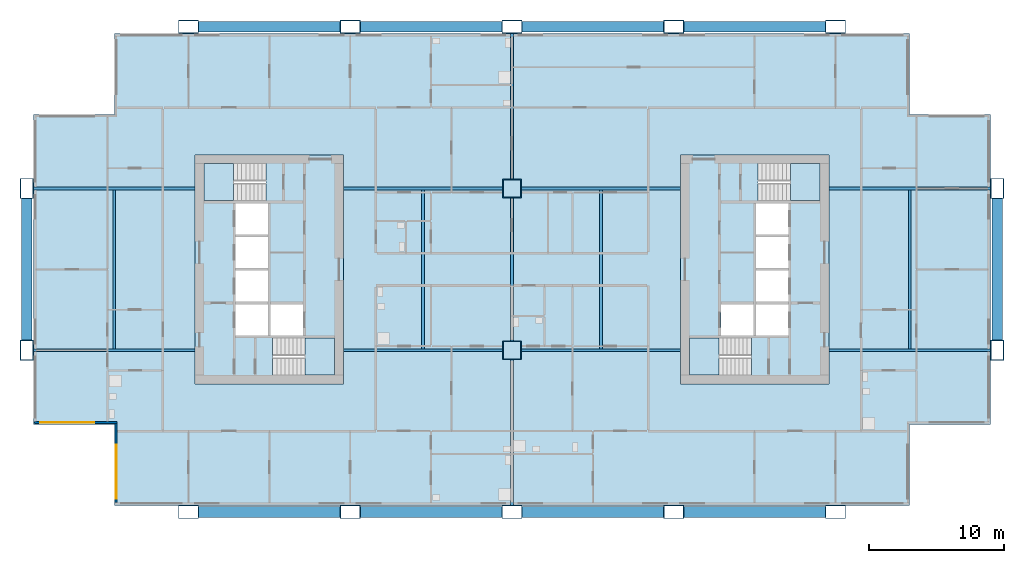
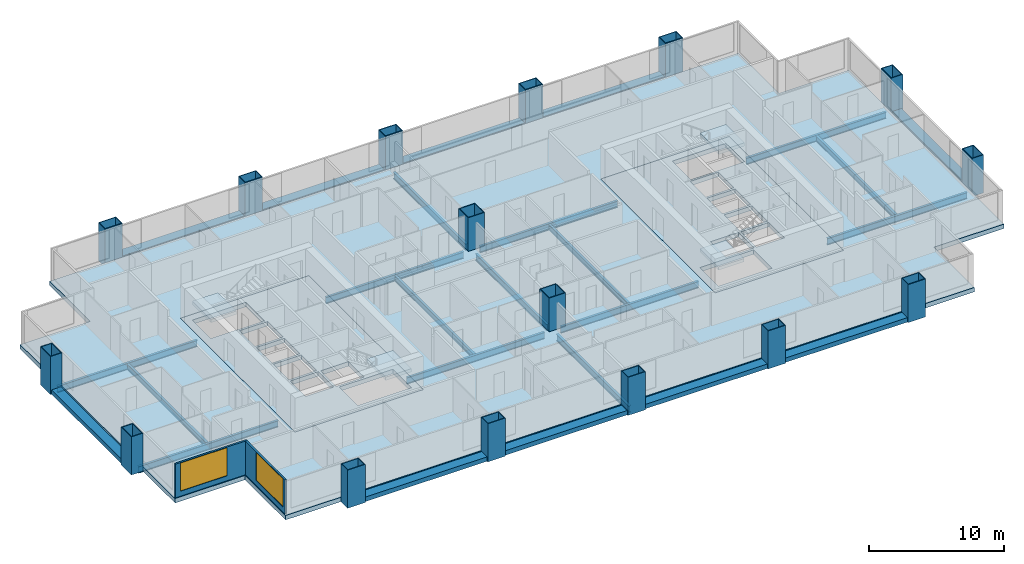
# One storey, part 1 of 11: 25 beams, 16 columns, 7 slabs, 2 walls, 2 windows, 2 openings, 4 elements without a shape of their own.
"""IFC4 building model written with IfcOpenShell, lengths in metres."""

from ifc_helpers import new_model, si_unit, direction, frame, frame_2d, origin, origin_2d, place, context, subcontext, project, spatial, polyline, rectangle, hollow_rectangle, i_section, outline, extrude, material, layer, layer_set, material_profile, profile_set, type_object, element, fill, aggregate, save


model = new_model("IFC4")

# Units and contexts
model_context = context("Model", 3, precision=1e-05, world=origin(), true_north=direction((0.0, 1.0)))
body_context = subcontext(model_context, "Body", "Model", "MODEL_VIEW")
ifc_project = project(units=[si_unit("LENGTHUNIT", "METRE"), si_unit("AREAUNIT", "SQUARE_METRE"), si_unit("VOLUMEUNIT", "CUBIC_METRE"), si_unit("PLANEANGLEUNIT", "RADIAN"), si_unit("MASSUNIT", "GRAM", prefix="KILO")], contexts=[model_context])

# Site, building, storey
site_placement = place(None, origin())
site = spatial("IfcSite", under=ifc_project, at=site_placement, CompositionType="ELEMENT")
building_placement = place(site_placement, origin())
building = spatial("IfcBuilding", under=site, at=building_placement, Name="Kitamizu Gate Tower and Museum", CompositionType="ELEMENT")
storey_placement = place(building_placement, frame((0.0, 0.0, 100.050048828125)))
storey = spatial("IfcBuildingStorey", under=building, at=storey_placement, Name="L25", CompositionType="ELEMENT", Elevation=100.050048828125)

# Columns
ifc_material_1 = material(Name="Steel SM490A bronze coated", Category="steel")
ifc_material_profile_1 = material_profile(ifc_material_1, hollow_rectangle(XDim=1.5, YDim=1.0, WallThickness=0.06005859375, at=origin_2d()), Name="BOX 1500x1000x60")
ifc_profile_set_1 = profile_set([ifc_material_profile_1], Name="Steel SM490A bronze coated")
column_type_1 = type_object("IfcColumnType", Name="Exoskeleton column XC4 BOX 1500x1000x60", PredefinedType="COLUMN", material=ifc_profile_set_1)
for number, where, z_axis, x_axis, name in (
    (1, (0.0, 24.0, -0.400146484375), (0.0, 0.0, 1.0), (0.0, 1.0, 0.0), "Column XC4 1C L25"),
    (2, (0.0, 36.0, -0.400146484375), (0.0, 0.0, 1.0), (0.0, 1.0, 0.0), "Column XC4 1D L25"),
    (3, (12.0, 12.0, -0.400146484375), (0.0, 0.0, 1.0), (1.0, 0.0, 0.0), "Column XC4 2B L25"),
    (4, (12.0, 48.0, -0.400146484375), (0.0, 0.0, 1.0), (1.0, 0.0, 0.0), "Column XC4 2E L25"),
    (5, (24.0, 12.0, -0.400146484375), (0.0, 0.0, 1.0), (1.0, 0.0, 0.0), "Column XC4 3B L25"),
    (6, (24.0, 48.0, -0.400146484375), (0.0, 0.0, 1.0), (1.0, 0.0, 0.0), "Column XC4 3E L25"),
    (7, (36.0, 12.0, -0.400146484375), (0.0, 0.0, 1.0), (1.0, 0.0, 0.0), "Column XC4 4B L25"),
    (8, (36.0, 48.0, -0.400146484375), (0.0, 0.0, 1.0), (1.0, 0.0, 0.0), "Column XC4 4E L25"),
    (9, (48.0, 12.0, -0.400146484375), (0.0, 0.0, 1.0), (1.0, 0.0, 0.0), "Column XC4 5B L25"),
    (10, (48.0, 48.0, -0.400146484375), (0.0, 0.0, 1.0), (1.0, 0.0, 0.0), "Column XC4 5E L25"),
    (11, (60.0, 12.0, -0.400146484375), (0.0, 0.0, 1.0), (1.0, 0.0, 0.0), "Column XC4 6B L25"),
    (12, (60.0, 48.0, -0.400146484375), (0.0, 0.0, 1.0), (1.0, 0.0, 0.0), "Column XC4 6E L25"),
    (13, (72.0, 24.0, -0.400146484375), (0.0, 0.0, 1.0), (0.0, 1.0, 0.0), "Column XC4 7C L25"),
    (14, (72.0, 36.0, -0.400146484375), (0.0, 0.0, 1.0), (0.0, 1.0, 0.0), "Column XC4 7D L25"),
):
    element("IfcColumn", number, at=place(storey_placement, frame(where, z_axis=z_axis, x_axis=x_axis)), inside=storey, type_object=column_type_1, Name=name, PredefinedType="COLUMN", context=body_context, shape_type="SweptSolid", body=[
        extrude(hollow_rectangle(XDim=1.5, YDim=1.0, WallThickness=0.06005859375, at=origin_2d()), origin(), (0.0, 0.0, 1.0), 3.4501953125),
    ])
ifc_material_2 = material(Name="Steel SM490A", Category="steel")
ifc_material_profile_2 = material_profile(ifc_material_2, hollow_rectangle(XDim=1.39990234375, YDim=1.39990234375, WallThickness=0.06005859375, at=origin_2d()), Name="BOX 1400x1400x60")
ifc_profile_set_2 = profile_set([ifc_material_profile_2], Name="Steel SM490A")
column_type_2 = type_object("IfcColumnType", Name="Interior column IC3 BOX 1400x1400x60", PredefinedType="COLUMN", material=ifc_profile_set_2)
for number, where, z_axis, x_axis, name in (
    (15, (36.0, 24.0, 0.0), (0.0, 0.0, 1.0), (1.0, 0.0, 0.0), "Column IC3 4C L25"),
    (16, (36.0, 36.0, 0.0), (0.0, 0.0, 1.0), (1.0, 0.0, 0.0), "Column IC3 4D L25"),
):
    element("IfcColumn", number, at=place(storey_placement, frame(where, z_axis=z_axis, x_axis=x_axis)), inside=storey, type_object=column_type_2, Name=name, PredefinedType="COLUMN", context=body_context, shape_type="SweptSolid", body=[
        extrude(hollow_rectangle(XDim=1.39990234375, YDim=1.39990234375, WallThickness=0.06005859375, at=origin_2d()), origin(), (0.0, 0.0, 1.0), 3.050048828125),
    ])

# Beams
ifc_material_3 = material(Name="Steel SM490A bronze coated", Category="steel")
ifc_material_profile_3 = material_profile(ifc_material_3, hollow_rectangle(XDim=0.800048828125, YDim=0.39990234375, WallThickness=0.0400390625, at=origin_2d()), Name="BOX 800x400x40")
ifc_profile_set_3 = profile_set([ifc_material_profile_3], Name="Steel SM490A bronze coated")
beam_type_1 = type_object("IfcBeamType", Name="Exoskeleton spandrel beam SB1 BOX 800x400x40", PredefinedType="SPANDREL", material=ifc_profile_set_3)
for number, where, z_axis, x_axis, name in (
    (17, (12.75, 12.0, -0.199951171875), (1.0, 0.0, 0.0), (0.0, 1.0, 0.0), "Exoskeleton spandrel beam south 12 L25"),
    (18, (24.75, 12.0, -0.199951171875), (1.0, 0.0, 0.0), (0.0, 1.0, 0.0), "Exoskeleton spandrel beam south 24 L25"),
    (19, (36.75, 12.0, -0.199951171875), (1.0, 0.0, 0.0), (0.0, 1.0, 0.0), "Exoskeleton spandrel beam south 36 L25"),
    (20, (48.75, 12.0, -0.199951171875), (1.0, 0.0, 0.0), (0.0, 1.0, 0.0), "Exoskeleton spandrel beam south 48 L25"),
    (21, (12.75, 48.0, -0.199951171875), (1.0, 0.0, 0.0), (0.0, 1.0, 0.0), "Exoskeleton spandrel beam north 12 L25"),
    (22, (24.75, 48.0, -0.199951171875), (1.0, 0.0, 0.0), (0.0, 1.0, 0.0), "Exoskeleton spandrel beam north 24 L25"),
    (23, (36.75, 48.0, -0.199951171875), (1.0, 0.0, 0.0), (0.0, 1.0, 0.0), "Exoskeleton spandrel beam north 36 L25"),
    (24, (48.75, 48.0, -0.199951171875), (1.0, 0.0, 0.0), (0.0, 1.0, 0.0), "Exoskeleton spandrel beam north 48 L25"),
    (25, (0.0, 24.75, -0.199951171875), (0.0, 1.0, 0.0), (-1.0, 0.0, 0.0), "Exoskeleton spandrel beam west 24 L25"),
    (26, (72.0, 24.75, -0.199951171875), (0.0, 1.0, 0.0), (-1.0, 0.0, 0.0), "Exoskeleton spandrel beam east 24 L25"),
):
    element("IfcBeam", number, at=place(storey_placement, frame(where, z_axis=z_axis, x_axis=x_axis)), inside=storey, type_object=beam_type_1, Name=name, PredefinedType="SPANDREL", context=body_context, shape_type="SweptSolid", body=[
        extrude(hollow_rectangle(XDim=0.800048828125, YDim=0.39990234375, WallThickness=0.0400390625, at=origin_2d()), origin(), (0.0, 0.0, 1.0), 10.5),
    ])
ifc_material_4 = material(Name="Steel SM490A", Category="steel")
ifc_material_profile_4 = material_profile(ifc_material_4, i_section(OverallWidth=0.199951171875, OverallDepth=0.5, WebThickness=0.010009765625, FlangeThickness=0.01611328125, FilletRadius=0.02001953125, at=origin_2d()), Name="H-500x200x10x16")
ifc_profile_set_4 = profile_set([ifc_material_profile_4], Name="Steel SM490A")
beam_type_2 = type_object("IfcBeamType", Name="Floor beam FB1 H 500x200x10x16", PredefinedType="BEAM", material=ifc_profile_set_4)
for number, where, z_axis, x_axis, name in (
    (27, (6.5, 24.10009765625, -0.650146484375), (0.0, 1.0, 0.0), (-1.0, 0.0, 0.0), "Floor beam FB1 L25-1"),
    (28, (29.39990234375, 24.10009765625, -0.650146484375), (0.0, 1.0, 0.0), (-1.0, 0.0, 0.0), "Floor beam FB1 L25-2"),
    (29, (42.60009765625, 24.10009765625, -0.650146484375), (0.0, 1.0, 0.0), (-1.0, 0.0, 0.0), "Floor beam FB1 L25-3"),
    (30, (65.5, 24.10009765625, -0.650146484375), (0.0, 1.0, 0.0), (-1.0, 0.0, 0.0), "Floor beam FB1 L25-4"),
):
    element("IfcBeam", number, at=place(storey_placement, frame(where, z_axis=z_axis, x_axis=x_axis)), inside=storey, type_object=beam_type_2, Name=name, PredefinedType="BEAM", context=body_context, shape_type="SweptSolid", body=[
        extrude(i_section(OverallWidth=0.199951171875, OverallDepth=0.5, WebThickness=0.010009765625, FlangeThickness=0.01611328125, FilletRadius=0.02001953125, at=origin_2d()), origin(), (0.0, 0.0, 1.0), 11.7998046875),
    ])
ifc_material_5 = material(Name="Steel SM490A", Category="steel")
ifc_material_profile_5 = material_profile(ifc_material_5, i_section(OverallWidth=0.199951171875, OverallDepth=0.60009765625, WebThickness=0.010986328125, FlangeThickness=0.01708984375, FilletRadius=0.02197265625, at=origin_2d()), Name="H-600x200x11x17")
ifc_profile_set_5 = profile_set([ifc_material_profile_5], Name="Steel SM490A")
beam_type_3 = type_object("IfcBeamType", Name="Floor girder FG1 H 600x200x11x17", PredefinedType="BEAM", material=ifc_profile_set_5)
beam_1_placement = place(storey_placement, frame((36.0, 12.5, -0.699951171875), z_axis=(0.0, 1.0, 0.0), x_axis=(-1.0, 0.0, 0.0)))
element("IfcBeam", 31, at=beam_1_placement, inside=storey, type_object=beam_type_3, Name="Floor girder FG1 x36 L25", PredefinedType="BEAM", context=body_context, shape_type="SweptSolid", body=[
    extrude(i_section(OverallWidth=0.199951171875, OverallDepth=0.60009765625, WebThickness=0.010986328125, FlangeThickness=0.01708984375, FilletRadius=0.02197265625, at=origin_2d()), origin(), (0.0, 0.0, 1.0), 10.800048828125),
])
beam_2_placement = place(storey_placement, frame((36.0, 24.699951171875, -0.699951171875), z_axis=(0.0, 1.0, 0.0), x_axis=(-1.0, 0.0, 0.0)))
element("IfcBeam", 32, at=beam_2_placement, inside=storey, type_object=beam_type_3, Name="Floor girder FG1 x36 L25", PredefinedType="BEAM", context=body_context, shape_type="SweptSolid", body=[
    extrude(i_section(OverallWidth=0.199951171875, OverallDepth=0.60009765625, WebThickness=0.010986328125, FlangeThickness=0.01708984375, FilletRadius=0.02197265625, at=origin_2d()), origin(), (0.0, 0.0, 1.0), 10.60009765625),
])
beam_3_placement = place(storey_placement, frame((36.0, 36.699951171875, -0.699951171875), z_axis=(0.0, 1.0, 0.0), x_axis=(-1.0, 0.0, 0.0)))
element("IfcBeam", 33, at=beam_3_placement, inside=storey, type_object=beam_type_3, Name="Floor girder FG1 x36 L25", PredefinedType="BEAM", context=body_context, shape_type="SweptSolid", body=[
    extrude(i_section(OverallWidth=0.199951171875, OverallDepth=0.60009765625, WebThickness=0.010986328125, FlangeThickness=0.01708984375, FilletRadius=0.02197265625, at=origin_2d()), origin(), (0.0, 0.0, 1.0), 10.800048828125),
])
beam_4_placement = place(storey_placement, frame((0.5, 24.0, -0.699951171875), z_axis=(1.0, 0.0, 0.0), x_axis=(0.0, 1.0, 0.0)))
element("IfcBeam", 34, at=beam_4_placement, inside=storey, type_object=beam_type_3, Name="Floor girder FG1 y24 L25", PredefinedType="BEAM", context=body_context, shape_type="SweptSolid", body=[
    extrude(i_section(OverallWidth=0.199951171875, OverallDepth=0.60009765625, WebThickness=0.010986328125, FlangeThickness=0.01708984375, FilletRadius=0.02197265625, at=origin_2d()), origin(), (0.0, 0.0, 1.0), 12.0),
])
for number, where, z_axis, x_axis, name in (
    (35, (23.5, 24.0, -0.699951171875), (1.0, 0.0, 0.0), (0.0, 1.0, 0.0), "Floor girder FG1 y24 L25"),
    (36, (36.699951171875, 24.0, -0.699951171875), (1.0, 0.0, 0.0), (0.0, 1.0, 0.0), "Floor girder FG1 y24 L25"),
):
    element("IfcBeam", number, at=place(storey_placement, frame(where, z_axis=z_axis, x_axis=x_axis)), inside=storey, type_object=beam_type_3, Name=name, PredefinedType="BEAM", context=body_context, shape_type="SweptSolid", body=[
        extrude(i_section(OverallWidth=0.199951171875, OverallDepth=0.60009765625, WebThickness=0.010986328125, FlangeThickness=0.01708984375, FilletRadius=0.02197265625, at=origin_2d()), origin(), (0.0, 0.0, 1.0), 11.800048828125),
    ])
for number, where, z_axis, x_axis, name in (
    (37, (59.5, 24.0, -0.699951171875), (1.0, 0.0, 0.0), (0.0, 1.0, 0.0), "Floor girder FG1 y24 L25"),
    (38, (0.5, 36.0, -0.699951171875), (1.0, 0.0, 0.0), (0.0, 1.0, 0.0), "Floor girder FG1 y36 L25"),
):
    element("IfcBeam", number, at=place(storey_placement, frame(where, z_axis=z_axis, x_axis=x_axis)), inside=storey, type_object=beam_type_3, Name=name, PredefinedType="BEAM", context=body_context, shape_type="SweptSolid", body=[
        extrude(i_section(OverallWidth=0.199951171875, OverallDepth=0.60009765625, WebThickness=0.010986328125, FlangeThickness=0.01708984375, FilletRadius=0.02197265625, at=origin_2d()), origin(), (0.0, 0.0, 1.0), 12.0),
    ])
for number, where, z_axis, x_axis, name in (
    (39, (23.5, 36.0, -0.699951171875), (1.0, 0.0, 0.0), (0.0, 1.0, 0.0), "Floor girder FG1 y36 L25"),
    (40, (36.699951171875, 36.0, -0.699951171875), (1.0, 0.0, 0.0), (0.0, 1.0, 0.0), "Floor girder FG1 y36 L25"),
):
    element("IfcBeam", number, at=place(storey_placement, frame(where, z_axis=z_axis, x_axis=x_axis)), inside=storey, type_object=beam_type_3, Name=name, PredefinedType="BEAM", context=body_context, shape_type="SweptSolid", body=[
        extrude(i_section(OverallWidth=0.199951171875, OverallDepth=0.60009765625, WebThickness=0.010986328125, FlangeThickness=0.01708984375, FilletRadius=0.02197265625, at=origin_2d()), origin(), (0.0, 0.0, 1.0), 11.800048828125),
    ])
beam_5_placement = place(storey_placement, frame((59.5, 36.0, -0.699951171875), z_axis=(1.0, 0.0, 0.0), x_axis=(0.0, 1.0, 0.0)))
element("IfcBeam", 41, at=beam_5_placement, inside=storey, type_object=beam_type_3, Name="Floor girder FG1 y36 L25", PredefinedType="BEAM", context=body_context, shape_type="SweptSolid", body=[
    extrude(i_section(OverallWidth=0.199951171875, OverallDepth=0.60009765625, WebThickness=0.010986328125, FlangeThickness=0.01708984375, FilletRadius=0.02197265625, at=origin_2d()), origin(), (0.0, 0.0, 1.0), 12.0),
])

# Slabs
ifc_material_6 = material(Name="Concrete Fc36", Category="concrete")
ifc_layer_1 = layer(ifc_material_6, 0.39990234375)
ifc_layer_set_1 = layer_set([ifc_layer_1], Name="Concrete Fc36")
slab_type_1 = type_object("IfcSlabType", Name="Core floor slab 400", PredefinedType="FLOOR", material=ifc_layer_set_1)
slab_1_placement = place(storey_placement, frame((0.0, 0.0, -0.400146484375)))
element("IfcSlab", 42, at=slab_1_placement, inside=storey, type_object=slab_type_1, Name="Core floor slab W", PredefinedType="FLOOR", context=body_context, shape_type="SweptSolid", body=[
    extrude(outline(polyline([(12.5, 21.5), (23.5, 21.5), (23.5, 38.5), (12.5, 38.5), (12.5, 21.5)]), holes=[polyline([(15.5, 25.10009765625), (17.89990234375, 25.10009765625), (17.89990234375, 27.39990234375), (15.5, 27.39990234375), (15.5, 25.10009765625)]), polyline([(15.5, 27.60009765625), (17.89990234375, 27.60009765625), (17.89990234375, 29.89990234375), (15.5, 29.89990234375), (15.5, 27.60009765625)]), polyline([(15.5, 30.10009765625), (17.89990234375, 30.10009765625), (17.89990234375, 32.39990234375), (15.5, 32.39990234375), (15.5, 30.10009765625)]), polyline([(15.5, 32.60009765625), (17.89990234375, 32.60009765625), (17.89990234375, 34.89990234375), (15.5, 34.89990234375), (15.5, 32.60009765625)]), polyline([(18.10009765625, 25.10009765625), (20.5, 25.10009765625), (20.5, 27.39990234375), (18.10009765625, 27.39990234375), (18.10009765625, 25.10009765625)]), polyline([(18.25048828125, 22.14990234375), (22.85009765625, 22.14990234375), (22.85009765625, 24.89990234375), (18.25048828125, 24.89990234375), (18.25048828125, 22.14990234375)]), polyline([(13.14990234375, 35.10009765625), (17.74951171875, 35.10009765625), (17.74951171875, 37.85009765625), (13.14990234375, 37.85009765625), (13.14990234375, 35.10009765625)])]), origin(), (0.0, 0.0, 1.0), 0.400146484375),
])
slab_2_placement = place(storey_placement, frame((0.0, 0.0, -0.400146484375)))
element("IfcSlab", 43, at=slab_2_placement, inside=storey, type_object=slab_type_1, Name="Core floor slab E", PredefinedType="FLOOR", context=body_context, shape_type="SweptSolid", body=[
    extrude(outline(polyline([(48.5, 21.5), (59.5, 21.5), (59.5, 38.5), (48.5, 38.5), (48.5, 21.5)]), holes=[polyline([(54.10009765625, 25.10009765625), (56.5, 25.10009765625), (56.5, 27.39990234375), (54.10009765625, 27.39990234375), (54.10009765625, 25.10009765625)]), polyline([(54.10009765625, 27.60009765625), (56.5, 27.60009765625), (56.5, 29.89990234375), (54.10009765625, 29.89990234375), (54.10009765625, 27.60009765625)]), polyline([(54.10009765625, 30.10009765625), (56.5, 30.10009765625), (56.5, 32.39990234375), (54.10009765625, 32.39990234375), (54.10009765625, 30.10009765625)]), polyline([(54.10009765625, 32.60009765625), (56.5, 32.60009765625), (56.5, 34.89990234375), (54.10009765625, 34.89990234375), (54.10009765625, 32.60009765625)]), polyline([(51.5, 25.10009765625), (53.89990234375, 25.10009765625), (53.89990234375, 27.39990234375), (51.5, 27.39990234375), (51.5, 25.10009765625)]), polyline([(49.14990234375, 22.14990234375), (53.74951171875, 22.14990234375), (53.74951171875, 24.89990234375), (49.14990234375, 24.89990234375), (49.14990234375, 22.14990234375)]), polyline([(54.25048828125, 35.10009765625), (58.85009765625, 35.10009765625), (58.85009765625, 37.85009765625), (54.25048828125, 37.85009765625), (54.25048828125, 35.10009765625)])]), origin(), (0.0, 0.0, 1.0), 0.400146484375),
])
ifc_material_7 = material(Name="Concrete Fc36", Category="concrete")
ifc_layer_2 = layer(ifc_material_7, 0.39990234375)
ifc_layer_set_2 = layer_set([ifc_layer_2], Name="Concrete Fc36")
slab_type_2 = type_object("IfcSlabType", Name="Post tensioned flat slab 400", PredefinedType="FLOOR", material=ifc_layer_set_2)
slab_3_placement = place(storey_placement, frame((0.0, 0.0, -0.400146484375)))
element("IfcSlab", 44, at=slab_3_placement, inside=storey, type_object=slab_type_2, Name="Floor slab L25-1", PredefinedType="FLOOR", context=body_context, shape_type="SweptSolid", body=[
    extrude(outline(polyline([(0.5, 18.5), (0.5, 41.5), (6.5, 41.5), (6.5, 47.5), (65.5, 47.5), (65.5, 41.5), (71.5, 41.5), (71.5, 18.5), (65.5, 18.5), (65.5, 12.5), (6.5, 12.5), (6.5, 18.5), (0.5, 18.5)]), holes=[polyline([(59.5, 38.5), (48.5, 38.5), (48.5, 21.5), (59.5, 21.5), (59.5, 38.5)]), polyline([(12.5, 38.5), (12.5, 21.5), (23.5, 21.5), (23.5, 38.5), (12.5, 38.5)])]), origin(), (0.0, 0.0, 1.0), 0.400146484375),
])

# Stair, slab
ifc_material_8 = material(Name="Concrete Fc42", Category="concrete")
stair_type = type_object("IfcStairType", Name="Exit stair 1275 wide 192 rise 300 going", PredefinedType="HALF_TURN_STAIR", material=ifc_material_8)
stair_1_placement = place(storey_placement, origin())
stair_1 = element("IfcStair", 45, at=stair_1_placement, inside=storey, type_object=stair_type, Name="Exit stair ST1", PredefinedType="HALF_TURN_STAIR")
ifc_material_9 = material(Name="Concrete Fc42", Category="concrete")
ifc_layer_3 = layer(ifc_material_9, 0.300048828125)
ifc_layer_set_3 = layer_set([ifc_layer_3], Name="Concrete Fc42")
slab_type_3 = type_object("IfcSlabType", Name="Stair landing 300", PredefinedType="LANDING", material=ifc_layer_set_3)
slab_4_placement = place(storey_placement, frame((0.0, 0.0, 1.425048828125)))
slab_4 = element("IfcSlab", 46, at=slab_4_placement, type_object=slab_type_3, Name="ST1 landing 1", PredefinedType="LANDING", context=body_context, shape_type="SweptSolid", body=[
    extrude(outline(polyline([(20.64990234375, 22.14990234375), (22.85009765625, 22.14990234375), (22.85009765625, 24.89990234375), (20.64990234375, 24.89990234375), (20.64990234375, 22.14990234375)])), origin(), (0.0, 0.0, 1.0), 0.2998046875),
])
aggregate(stair_1, [slab_4])

stair_2_placement = place(storey_placement, origin())
stair_2 = element("IfcStair", 47, at=stair_2_placement, inside=storey, type_object=stair_type, Name="Exit stair ST2", PredefinedType="HALF_TURN_STAIR")
slab_5_placement = place(storey_placement, frame((0.0, 0.0, 1.425048828125)))
slab_5 = element("IfcSlab", 48, at=slab_5_placement, type_object=slab_type_3, Name="ST2 landing 1", PredefinedType="LANDING", context=body_context, shape_type="SweptSolid", body=[
    extrude(outline(polyline([(13.14990234375, 35.10009765625), (15.35009765625, 35.10009765625), (15.35009765625, 37.85009765625), (13.14990234375, 37.85009765625), (13.14990234375, 35.10009765625)])), origin(), (0.0, 0.0, 1.0), 0.2998046875),
])
aggregate(stair_2, [slab_5])

stair_3_placement = place(storey_placement, origin())
stair_3 = element("IfcStair", 49, at=stair_3_placement, inside=storey, type_object=stair_type, Name="Exit stair ST3", PredefinedType="HALF_TURN_STAIR")
slab_6_placement = place(storey_placement, frame((0.0, 0.0, 1.425048828125)))
slab_6 = element("IfcSlab", 50, at=slab_6_placement, type_object=slab_type_3, Name="ST3 landing 1", PredefinedType="LANDING", context=body_context, shape_type="SweptSolid", body=[
    extrude(outline(polyline([(49.14990234375, 22.14990234375), (51.35009765625, 22.14990234375), (51.35009765625, 24.89990234375), (49.14990234375, 24.89990234375), (49.14990234375, 22.14990234375)])), origin(), (0.0, 0.0, 1.0), 0.2998046875),
])
aggregate(stair_3, [slab_6])

stair_4_placement = place(storey_placement, origin())
stair_4 = element("IfcStair", 51, at=stair_4_placement, inside=storey, type_object=stair_type, Name="Exit stair ST4", PredefinedType="HALF_TURN_STAIR")
slab_7_placement = place(storey_placement, frame((0.0, 0.0, 1.425048828125)))
slab_7 = element("IfcSlab", 52, at=slab_7_placement, type_object=slab_type_3, Name="ST4 landing 1", PredefinedType="LANDING", context=body_context, shape_type="SweptSolid", body=[
    extrude(outline(polyline([(56.64990234375, 35.10009765625), (58.85009765625, 35.10009765625), (58.85009765625, 37.85009765625), (56.64990234375, 37.85009765625), (56.64990234375, 35.10009765625)])), origin(), (0.0, 0.0, 1.0), 0.2998046875),
])
aggregate(stair_4, [slab_7])

# Wall, opening, window
ifc_material_10 = material(Name="Bronze anodised aluminium frame with insulated spandrel and tinted glass", Category="aluminium")
ifc_layer_4 = layer(ifc_material_10, 0.14990234375)
ifc_layer_set_4 = layer_set([ifc_layer_4], Name="Bronze anodised aluminium frame with insulated spandrel and tinted glass")
wall_type = type_object("IfcWallType", Name="WINDOW WALL 150 BRONZE FRAME EI 30", PredefinedType="ELEMENTEDWALL", material=ifc_layer_set_4)
wall_1_placement = place(storey_placement, frame((0.56005859375, 18.635009765625, 0.0), z_axis=(0.0, 0.0, 1.0), x_axis=(1.0, 0.0, 0.0)))
wall_1 = element("IfcWall", 53, at=wall_1_placement, inside=storey, type_object=wall_type, Name="Window wall south L25", PredefinedType="ELEMENTEDWALL", context=body_context, shape_type="SweptSolid", body=[
    extrude(rectangle(XDim=6.14990234375, YDim=0.14990234375, at=frame_2d((3.074951171875, 0.0))), origin(), (0.0, 0.0, 1.0), 3.050048828125),
])
opening_1_placement = place(wall_1_placement, frame((0.43994140625, 0.0, 0.449951171875)))
opening_1 = element("IfcOpeningElement", 54, at=opening_1_placement, cuts=wall_1, Name="Opening W16", PredefinedType="OPENING", context=body_context, shape_type="SweptSolid", body=[
    extrude(rectangle(XDim=4.0, YDim=2.550048828125, at=frame_2d((2.0, 1.27490234375))), frame((0.0, 0.0849609375, 0.0), z_axis=(0.0, -1.0, 0.0), x_axis=(1.0, 0.0, 0.0)), (0.0, 0.0, 1.0), 0.169921875),
])
ifc_material_11 = material(Name="Bronze anodised aluminium frame, tinted triple glazing", Category="aluminium")
window_type = type_object("IfcWindowType", Name="WINDOW 4000 x 2550 SILL 450", PartitioningType="SINGLE_PANEL", PredefinedType="WINDOW", material=ifc_material_11)
window_1_placement = place(opening_1_placement, origin())
window_1 = element("IfcWindow", 55, at=window_1_placement, inside=storey, type_object=window_type, Name="Window W16 L25", OverallHeight=2.550048828125, OverallWidth=4.0, PartitioningType="SINGLE_PANEL", PredefinedType="WINDOW", context=body_context, shape_type="SweptSolid", body=[
    extrude(rectangle(XDim=4.0, YDim=2.550048828125, at=frame_2d((2.0, 1.27490234375))), frame((0.0, 0.030029296875, 0.0), z_axis=(0.0, -1.0, 0.0), x_axis=(1.0, 0.0, 0.0)), (0.0, 0.0, 1.0), 0.06005859375),
])
fill(opening_1, window_1)

wall_2_placement = place(storey_placement, frame((6.635009765625, 12.7099609375, 0.0), z_axis=(0.0, 0.0, 1.0), x_axis=(0.0, 1.0, 0.0)))
wall_2 = element("IfcWall", 56, at=wall_2_placement, inside=storey, type_object=wall_type, Name="Window wall west L25", PredefinedType="ELEMENTEDWALL", context=body_context, shape_type="SweptSolid", body=[
    extrude(rectangle(XDim=5.85009765625, YDim=0.14990234375, at=frame_2d((2.925048828125, 0.0))), origin(), (0.0, 0.0, 1.0), 3.050048828125),
])
opening_2_placement = place(wall_2_placement, frame((0.2900390625, 0.0, 0.449951171875)))
opening_2 = element("IfcOpeningElement", 57, at=opening_2_placement, cuts=wall_2, Name="Opening W16", PredefinedType="OPENING", context=body_context, shape_type="SweptSolid", body=[
    extrude(rectangle(XDim=4.0, YDim=2.550048828125, at=frame_2d((2.0, 1.27490234375))), frame((0.0, 0.0849609375, 0.0), z_axis=(0.0, -1.0, 0.0), x_axis=(1.0, 0.0, 0.0)), (0.0, 0.0, 1.0), 0.169921875),
])
window_2_placement = place(opening_2_placement, origin())
window_2 = element("IfcWindow", 58, at=window_2_placement, inside=storey, type_object=window_type, Name="Window W16 L25", OverallHeight=2.550048828125, OverallWidth=4.0, PartitioningType="SINGLE_PANEL", PredefinedType="WINDOW", context=body_context, shape_type="SweptSolid", body=[
    extrude(rectangle(XDim=4.0, YDim=2.550048828125, at=frame_2d((2.0, 1.27490234375))), frame((0.0, 0.030029296875, 0.0), z_axis=(0.0, -1.0, 0.0), x_axis=(1.0, 0.0, 0.0)), (0.0, 0.0, 1.0), 0.06005859375),
])
fill(opening_2, window_2)

save(model, "model.ifc")
